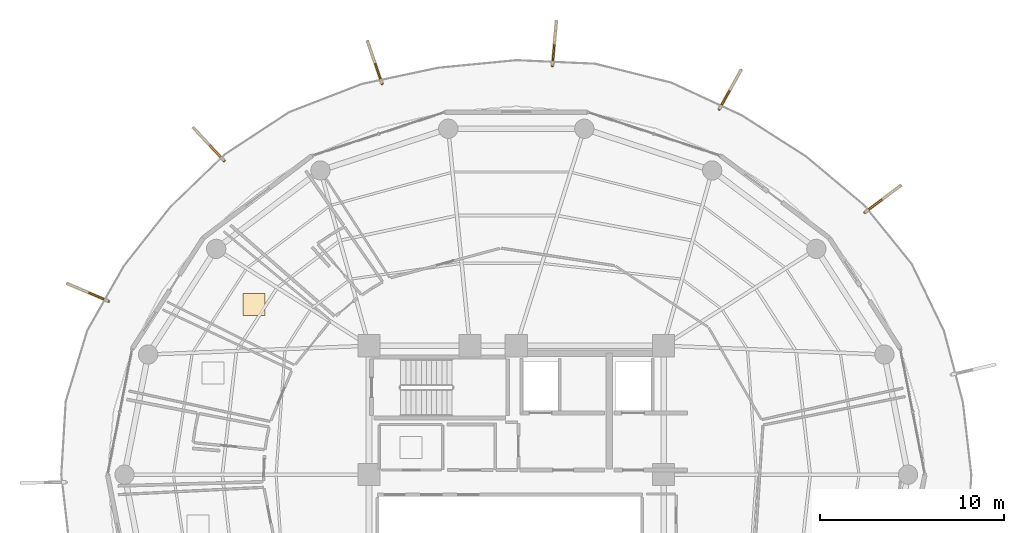
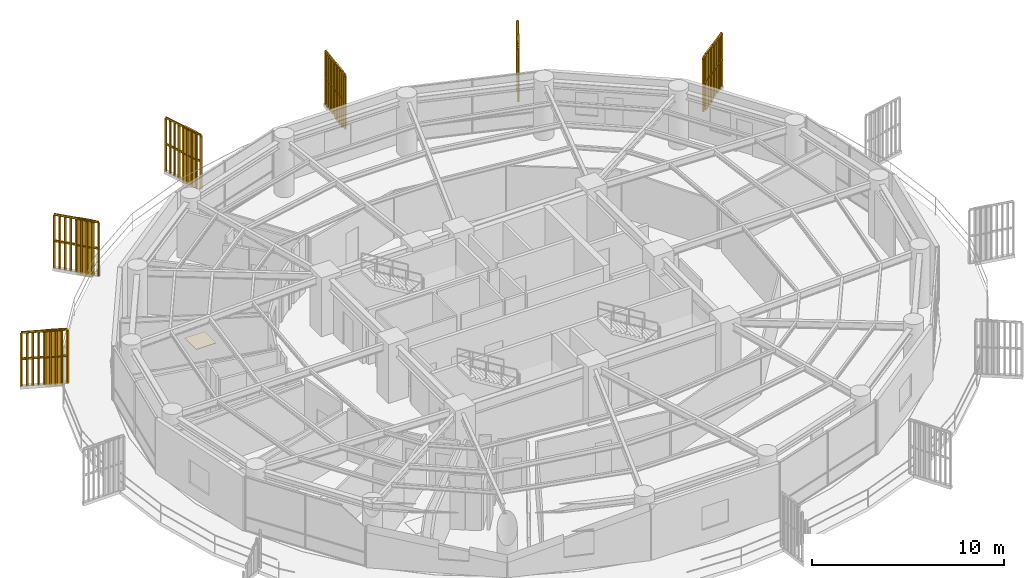
# One storey, part 31 of 31: 6 railings, 6 shading devices, 1 covering.
"""IFC4 building model written with IfcOpenShell, lengths in metres."""

from ifc_helpers import new_model, si_unit, direction, frame, origin, origin_2d, place, context, subcontext, project, spatial, polyline, rectangle, outline, extrude, source, transform, mapped, material, layer, layer_set, type_object, element, save


model = new_model("IFC4")

# Units and contexts
model_context = context("Model", 3, precision=1e-05, world=origin(), true_north=direction((0.0, 1.0)))
body_context = subcontext(model_context, "Body", "Model", "MODEL_VIEW")
ifc_project = project(units=[si_unit("LENGTHUNIT", "METRE"), si_unit("AREAUNIT", "SQUARE_METRE"), si_unit("VOLUMEUNIT", "CUBIC_METRE"), si_unit("PLANEANGLEUNIT", "RADIAN"), si_unit("MASSUNIT", "GRAM", prefix="KILO")], contexts=[model_context])

# Site, building, storey
site_placement = place(None, origin())
site = spatial("IfcSite", under=ifc_project, at=site_placement, CompositionType="ELEMENT")
building_placement = place(site_placement, origin())
building = spatial("IfcBuilding", under=site, at=building_placement, Name="Kelanora Arch Commons", CompositionType="ELEMENT")
storey_placement = place(building_placement, frame((0.0, 0.0, 200.699951171875)))
storey = spatial("IfcBuildingStorey", under=building, at=storey_placement, Name="L51", CompositionType="ELEMENT", Elevation=200.699951171875)

# Railings
ifc_material_1 = material(Name="Anodised bronze vertical shading fin rib assembly")
railing_type = type_object("IfcRailingType", Name="RAIL-FIN-BRZ", PredefinedType="BALUSTRADE", material=ifc_material_1)
railing_1_placement = place(storey_placement, frame((92.935302734375, 72.24169921875, -0.02001953125)))
element("IfcRailing", 1, at=railing_1_placement, inside=storey, type_object=railing_type, Name="Sweeping Bronze Vertical Fin Blade L51-03", PredefinedType="BALUSTRADE", context=body_context, shape_type="SweptSolid", body=[
    extrude(outline(polyline([(0.06982421875, 0.0), (0.034912109375, 0.060546875), (-0.034912109375, 0.060546875), (-0.06982421875, 0.0), (-0.034912109375, -0.060546875), (0.034912109375, -0.060546875), (0.06982421875, 0.0)])), frame((0.0, 0.0, 3.419921875), z_axis=(0.799154817787, 0.601125259166, 0.0), x_axis=(-0.601125259166, 0.799154817787, 0.0)), (0.0, 0.0, 1.0), 2.4287109375),
    extrude(outline(polyline([(0.06982421875, 0.0), (0.034912109375, 0.060546875), (-0.034912109375, 0.060546875), (-0.06982421875, 0.0), (-0.034912109375, -0.060546875), (0.034912109375, -0.060546875), (0.06982421875, 0.0)])), frame((0.0, 0.0, 1.7451171875), z_axis=(0.799154817787, 0.601125259166, 0.0), x_axis=(-0.601125259166, 0.799154817787, 0.0)), (0.0, 0.0, 1.0), 2.4287109375),
    extrude(outline(polyline([(0.080078125, 0.0), (0.0400390625, 0.0693359375), (-0.0400390625, 0.0693359375), (-0.080078125, 0.0), (-0.0400390625, -0.0693359375), (0.0400390625, -0.0693359375), (0.080078125, 0.0)])), origin(), (0.0, 0.0, 1.0), 3.35009765625),
    extrude(outline(polyline([(0.080078125, 0.0), (0.0400390625, 0.0693359375), (-0.0400390625, 0.0693359375), (-0.080078125, 0.0), (-0.0400390625, -0.0693359375), (0.0400390625, -0.0693359375), (0.080078125, 0.0)])), frame((0.24267578125, 0.1826171875, 0.0)), (0.0, 0.0, 1.0), 3.35009765625),
    extrude(outline(polyline([(0.080078125, 0.0), (0.0400390625, 0.0693359375), (-0.0400390625, 0.0693359375), (-0.080078125, 0.0), (-0.0400390625, -0.0693359375), (0.0400390625, -0.0693359375), (0.080078125, 0.0)])), frame((0.4853515625, 0.364990234375, 0.0)), (0.0, 0.0, 1.0), 3.35009765625),
    extrude(outline(polyline([(0.080078125, 0.0), (0.0400390625, 0.0693359375), (-0.0400390625, 0.0693359375), (-0.080078125, 0.0), (-0.0400390625, -0.0693359375), (0.0400390625, -0.0693359375), (0.080078125, 0.0)])), frame((0.727783203125, 0.54736328125, 0.0)), (0.0, 0.0, 1.0), 3.35009765625),
    extrude(outline(polyline([(0.080078125, 0.0), (0.0400390625, 0.0693359375), (-0.0400390625, 0.0693359375), (-0.080078125, 0.0), (-0.0400390625, -0.0693359375), (0.0400390625, -0.0693359375), (0.080078125, 0.0)])), frame((0.970458984375, 0.72998046875, 0.0)), (0.0, 0.0, 1.0), 3.35009765625),
    extrude(outline(polyline([(0.080078125, 0.0), (0.0400390625, 0.0693359375), (-0.0400390625, 0.0693359375), (-0.080078125, 0.0), (-0.0400390625, -0.0693359375), (0.0400390625, -0.0693359375), (0.080078125, 0.0)])), frame((1.213134765625, 0.91259765625, 0.0)), (0.0, 0.0, 1.0), 3.35009765625),
    extrude(outline(polyline([(0.080078125, 0.0), (0.0400390625, 0.0693359375), (-0.0400390625, 0.0693359375), (-0.080078125, 0.0), (-0.0400390625, -0.0693359375), (0.0400390625, -0.0693359375), (0.080078125, 0.0)])), frame((1.45556640625, 1.094970703125, 0.0)), (0.0, 0.0, 1.0), 3.35009765625),
    extrude(outline(polyline([(0.080078125, 0.0), (0.0400390625, 0.0693359375), (-0.0400390625, 0.0693359375), (-0.080078125, 0.0), (-0.0400390625, -0.0693359375), (0.0400390625, -0.0693359375), (0.080078125, 0.0)])), frame((1.6982421875, 1.27734375, 0.0)), (0.0, 0.0, 1.0), 3.35009765625),
    extrude(outline(polyline([(0.080078125, 0.0), (0.0400390625, 0.0693359375), (-0.0400390625, 0.0693359375), (-0.080078125, 0.0), (-0.0400390625, -0.0693359375), (0.0400390625, -0.0693359375), (0.080078125, 0.0)])), frame((1.94091796875, 1.4599609375, 0.0)), (0.0, 0.0, 1.0), 3.35009765625),
])
railing_2_placement = place(storey_placement, frame((85.023681640625, 77.844482421875, -0.02001953125)))
element("IfcRailing", 2, at=railing_2_placement, inside=storey, type_object=railing_type, Name="Sweeping Bronze Vertical Fin Blade L51-04", PredefinedType="BALUSTRADE", context=body_context, shape_type="SweptSolid", body=[
    extrude(outline(polyline([(0.06982421875, 0.0), (0.034912109375, 0.060546875), (-0.034912109375, 0.060546875), (-0.06982421875, 0.0), (-0.034912109375, -0.060546875), (0.034912109375, -0.060546875), (0.06982421875, 0.0)])), frame((0.0, 0.0, 3.419921875), z_axis=(0.485549058683, 0.874209420912, 0.0), x_axis=(-0.874209420912, 0.485549058683, 0.0)), (0.0, 0.0, 1.0), 2.42919921875),
    extrude(outline(polyline([(0.06982421875, 0.0), (0.034912109375, 0.060546875), (-0.034912109375, 0.060546875), (-0.06982421875, 0.0), (-0.034912109375, -0.060546875), (0.034912109375, -0.060546875), (0.06982421875, 0.0)])), frame((0.0, 0.0, 1.7451171875), z_axis=(0.485549058683, 0.874209420912, 0.0), x_axis=(-0.874209420912, 0.485549058683, 0.0)), (0.0, 0.0, 1.0), 2.42919921875),
    extrude(outline(polyline([(0.080078125, 0.0), (0.0400390625, 0.0693359375), (-0.0400390625, 0.0693359375), (-0.080078125, 0.0), (-0.0400390625, -0.0693359375), (0.0400390625, -0.0693359375), (0.080078125, 0.0)])), origin(), (0.0, 0.0, 1.0), 3.35009765625),
    extrude(outline(polyline([(0.080078125, 0.0), (0.0400390625, 0.0693359375), (-0.0400390625, 0.0693359375), (-0.080078125, 0.0), (-0.0400390625, -0.0693359375), (0.0400390625, -0.0693359375), (0.080078125, 0.0)])), frame((0.1474609375, 0.265380859375, 0.0)), (0.0, 0.0, 1.0), 3.35009765625),
    extrude(outline(polyline([(0.080078125, 0.0), (0.0400390625, 0.0693359375), (-0.0400390625, 0.0693359375), (-0.080078125, 0.0), (-0.0400390625, -0.0693359375), (0.0400390625, -0.0693359375), (0.080078125, 0.0)])), frame((0.294921875, 0.53076171875, 0.0)), (0.0, 0.0, 1.0), 3.35009765625),
    extrude(outline(polyline([(0.080078125, 0.0), (0.0400390625, 0.0693359375), (-0.0400390625, 0.0693359375), (-0.080078125, 0.0), (-0.0400390625, -0.0693359375), (0.0400390625, -0.0693359375), (0.080078125, 0.0)])), frame((0.4423828125, 0.79638671875, 0.0)), (0.0, 0.0, 1.0), 3.35009765625),
    extrude(outline(polyline([(0.080078125, 0.0), (0.0400390625, 0.0693359375), (-0.0400390625, 0.0693359375), (-0.080078125, 0.0), (-0.0400390625, -0.0693359375), (0.0400390625, -0.0693359375), (0.080078125, 0.0)])), frame((0.58984375, 1.061767578125, 0.0)), (0.0, 0.0, 1.0), 3.35009765625),
    extrude(outline(polyline([(0.080078125, 0.0), (0.0400390625, 0.0693359375), (-0.0400390625, 0.0693359375), (-0.080078125, 0.0), (-0.0400390625, -0.0693359375), (0.0400390625, -0.0693359375), (0.080078125, 0.0)])), frame((0.737060546875, 1.3271484375, 0.0)), (0.0, 0.0, 1.0), 3.35009765625),
    extrude(outline(polyline([(0.080078125, 0.0), (0.0400390625, 0.0693359375), (-0.0400390625, 0.0693359375), (-0.080078125, 0.0), (-0.0400390625, -0.0693359375), (0.0400390625, -0.0693359375), (0.080078125, 0.0)])), frame((0.884521484375, 1.5927734375, 0.0)), (0.0, 0.0, 1.0), 3.35009765625),
    extrude(outline(polyline([(0.080078125, 0.0), (0.0400390625, 0.0693359375), (-0.0400390625, 0.0693359375), (-0.080078125, 0.0), (-0.0400390625, -0.0693359375), (0.0400390625, -0.0693359375), (0.080078125, 0.0)])), frame((1.031982421875, 1.858154296875, 0.0)), (0.0, 0.0, 1.0), 3.35009765625),
    extrude(outline(polyline([(0.080078125, 0.0), (0.0400390625, 0.0693359375), (-0.0400390625, 0.0693359375), (-0.080078125, 0.0), (-0.0400390625, -0.0693359375), (0.0400390625, -0.0693359375), (0.080078125, 0.0)])), frame((1.179443359375, 2.12353515625, 0.0)), (0.0, 0.0, 1.0), 3.35009765625),
])
railing_3_placement = place(storey_placement, frame((75.963134765625, 80.20751953125, -0.02001953125)))
element("IfcRailing", 3, at=railing_3_placement, inside=storey, type_object=railing_type, Name="Sweeping Bronze Vertical Fin Blade L51-05", PredefinedType="BALUSTRADE", context=body_context, shape_type="SweptSolid", body=[
    extrude(outline(polyline([(0.06982421875, 0.0), (0.034912109375, 0.060546875), (-0.034912109375, 0.060546875), (-0.06982421875, 0.0), (-0.034912109375, -0.060546875), (0.034912109375, -0.060546875), (0.06982421875, 0.0)])), frame((0.0, 0.0, 3.419921875), z_axis=(0.088052219316, 0.996115860065, 0.0), x_axis=(-0.996115860065, 0.088052219316, 0.0)), (0.0, 0.0, 1.0), 2.428955078125),
    extrude(outline(polyline([(0.06982421875, 0.0), (0.034912109375, 0.060546875), (-0.034912109375, 0.060546875), (-0.06982421875, 0.0), (-0.034912109375, -0.060546875), (0.034912109375, -0.060546875), (0.06982421875, 0.0)])), frame((0.0, 0.0, 1.7451171875), z_axis=(0.088052219316, 0.996115860065, 0.0), x_axis=(-0.996115860065, 0.088052219316, 0.0)), (0.0, 0.0, 1.0), 2.428955078125),
    extrude(outline(polyline([(0.080078125, 0.0), (0.0400390625, 0.0693359375), (-0.0400390625, 0.0693359375), (-0.080078125, 0.0), (-0.0400390625, -0.0693359375), (0.0400390625, -0.0693359375), (0.080078125, 0.0)])), origin(), (0.0, 0.0, 1.0), 3.35009765625),
    extrude(outline(polyline([(0.080078125, 0.0), (0.0400390625, 0.0693359375), (-0.0400390625, 0.0693359375), (-0.080078125, 0.0), (-0.0400390625, -0.0693359375), (0.0400390625, -0.0693359375), (0.080078125, 0.0)])), frame((0.02685546875, 0.302490234375, 0.0)), (0.0, 0.0, 1.0), 3.35009765625),
    extrude(outline(polyline([(0.080078125, 0.0), (0.0400390625, 0.0693359375), (-0.0400390625, 0.0693359375), (-0.080078125, 0.0), (-0.0400390625, -0.0693359375), (0.0400390625, -0.0693359375), (0.080078125, 0.0)])), frame((0.053466796875, 0.60498046875, 0.0)), (0.0, 0.0, 1.0), 3.35009765625),
    extrude(outline(polyline([(0.080078125, 0.0), (0.0400390625, 0.0693359375), (-0.0400390625, 0.0693359375), (-0.080078125, 0.0), (-0.0400390625, -0.0693359375), (0.0400390625, -0.0693359375), (0.080078125, 0.0)])), frame((0.080078125, 0.9072265625, 0.0)), (0.0, 0.0, 1.0), 3.35009765625),
    extrude(outline(polyline([(0.080078125, 0.0), (0.0400390625, 0.0693359375), (-0.0400390625, 0.0693359375), (-0.080078125, 0.0), (-0.0400390625, -0.0693359375), (0.0400390625, -0.0693359375), (0.080078125, 0.0)])), frame((0.10693359375, 1.209716796875, 0.0)), (0.0, 0.0, 1.0), 3.35009765625),
    extrude(outline(polyline([(0.080078125, 0.0), (0.0400390625, 0.0693359375), (-0.0400390625, 0.0693359375), (-0.080078125, 0.0), (-0.0400390625, -0.0693359375), (0.0400390625, -0.0693359375), (0.080078125, 0.0)])), frame((0.1337890625, 1.51220703125, 0.0)), (0.0, 0.0, 1.0), 3.35009765625),
    extrude(outline(polyline([(0.080078125, 0.0), (0.0400390625, 0.0693359375), (-0.0400390625, 0.0693359375), (-0.080078125, 0.0), (-0.0400390625, -0.0693359375), (0.0400390625, -0.0693359375), (0.080078125, 0.0)])), frame((0.160400390625, 1.814453125, 0.0)), (0.0, 0.0, 1.0), 3.35009765625),
    extrude(outline(polyline([(0.080078125, 0.0), (0.0400390625, 0.0693359375), (-0.0400390625, 0.0693359375), (-0.080078125, 0.0), (-0.0400390625, -0.0693359375), (0.0400390625, -0.0693359375), (0.080078125, 0.0)])), frame((0.18701171875, 2.116943359375, 0.0)), (0.0, 0.0, 1.0), 3.35009765625),
    extrude(outline(polyline([(0.080078125, 0.0), (0.0400390625, 0.0693359375), (-0.0400390625, 0.0693359375), (-0.080078125, 0.0), (-0.0400390625, -0.0693359375), (0.0400390625, -0.0693359375), (0.080078125, 0.0)])), frame((0.2138671875, 2.41943359375, 0.0)), (0.0, 0.0, 1.0), 3.35009765625),
])
railing_4_placement = place(storey_placement, frame((66.710205078125, 79.23388671875, -0.02001953125)))
element("IfcRailing", 4, at=railing_4_placement, inside=storey, type_object=railing_type, Name="Sweeping Bronze Vertical Fin Blade L51-06", PredefinedType="BALUSTRADE", context=body_context, shape_type="SweptSolid", body=[
    extrude(outline(polyline([(0.06982421875, 0.0), (0.034912109375, 0.060546875), (-0.034912109375, 0.060546875), (-0.06982421875, 0.0), (-0.034912109375, -0.060546875), (0.034912109375, -0.060546875), (0.06982421875, 0.0)])), frame((0.0, 0.0, 3.419921875), z_axis=(-0.324779158673, 0.945789880519, 0.0), x_axis=(-0.945789880519, -0.324779158673, 0.0)), (0.0, 0.0, 1.0), 2.4287109375),
    extrude(outline(polyline([(0.06982421875, 0.0), (0.034912109375, 0.060546875), (-0.034912109375, 0.060546875), (-0.06982421875, 0.0), (-0.034912109375, -0.060546875), (0.034912109375, -0.060546875), (0.06982421875, 0.0)])), frame((0.0, 0.0, 1.7451171875), z_axis=(-0.324779158673, 0.945789880519, 0.0), x_axis=(-0.945789880519, -0.324779158673, 0.0)), (0.0, 0.0, 1.0), 2.4287109375),
    extrude(outline(polyline([(0.080078125, 0.0), (0.0400390625, 0.0693359375), (-0.0400390625, 0.0693359375), (-0.080078125, 0.0), (-0.0400390625, -0.0693359375), (0.0400390625, -0.0693359375), (0.080078125, 0.0)])), origin(), (0.0, 0.0, 1.0), 3.35009765625),
    extrude(outline(polyline([(0.080078125, 0.0), (0.0400390625, 0.0693359375), (-0.0400390625, 0.0693359375), (-0.080078125, 0.0), (-0.0400390625, -0.0693359375), (0.0400390625, -0.0693359375), (0.080078125, 0.0)])), frame((-0.0986328125, 0.287109375, 0.0)), (0.0, 0.0, 1.0), 3.35009765625),
    extrude(outline(polyline([(0.080078125, 0.0), (0.0400390625, 0.0693359375), (-0.0400390625, 0.0693359375), (-0.080078125, 0.0), (-0.0400390625, -0.0693359375), (0.0400390625, -0.0693359375), (0.080078125, 0.0)])), frame((-0.197265625, 0.57421875, 0.0)), (0.0, 0.0, 1.0), 3.35009765625),
    extrude(outline(polyline([(0.080078125, 0.0), (0.0400390625, 0.0693359375), (-0.0400390625, 0.0693359375), (-0.080078125, 0.0), (-0.0400390625, -0.0693359375), (0.0400390625, -0.0693359375), (0.080078125, 0.0)])), frame((-0.2958984375, 0.861328125, 0.0)), (0.0, 0.0, 1.0), 3.35009765625),
    extrude(outline(polyline([(0.080078125, 0.0), (0.0400390625, 0.0693359375), (-0.0400390625, 0.0693359375), (-0.080078125, 0.0), (-0.0400390625, -0.0693359375), (0.0400390625, -0.0693359375), (0.080078125, 0.0)])), frame((-0.39453125, 1.1484375, 0.0)), (0.0, 0.0, 1.0), 3.35009765625),
    extrude(outline(polyline([(0.080078125, 0.0), (0.0400390625, 0.0693359375), (-0.0400390625, 0.0693359375), (-0.080078125, 0.0), (-0.0400390625, -0.0693359375), (0.0400390625, -0.0693359375), (0.080078125, 0.0)])), frame((-0.492919921875, 1.435791015625, 0.0)), (0.0, 0.0, 1.0), 3.35009765625),
    extrude(outline(polyline([(0.080078125, 0.0), (0.0400390625, 0.0693359375), (-0.0400390625, 0.0693359375), (-0.080078125, 0.0), (-0.0400390625, -0.0693359375), (0.0400390625, -0.0693359375), (0.080078125, 0.0)])), frame((-0.591552734375, 1.722900390625, 0.0)), (0.0, 0.0, 1.0), 3.35009765625),
    extrude(outline(polyline([(0.080078125, 0.0), (0.0400390625, 0.0693359375), (-0.0400390625, 0.0693359375), (-0.080078125, 0.0), (-0.0400390625, -0.0693359375), (0.0400390625, -0.0693359375), (0.080078125, 0.0)])), frame((-0.690185546875, 2.010009765625, 0.0)), (0.0, 0.0, 1.0), 3.35009765625),
    extrude(outline(polyline([(0.080078125, 0.0), (0.0400390625, 0.0693359375), (-0.0400390625, 0.0693359375), (-0.080078125, 0.0), (-0.0400390625, -0.0693359375), (0.0400390625, -0.0693359375), (0.080078125, 0.0)])), frame((-0.788818359375, 2.297119140625, 0.0)), (0.0, 0.0, 1.0), 3.35009765625),
])
railing_5_placement = place(storey_placement, frame((58.127685546875, 75.052001953125, -0.02001953125)))
element("IfcRailing", 5, at=railing_5_placement, inside=storey, type_object=railing_type, Name="Sweeping Bronze Vertical Fin Blade L51-07", PredefinedType="BALUSTRADE", context=body_context, shape_type="SweptSolid", body=[
    extrude(outline(polyline([(0.06982421875, 0.0), (0.034912109375, 0.060546875), (-0.034912109375, 0.060546875), (-0.06982421875, 0.0), (-0.034912109375, -0.060546875), (0.034912109375, -0.060546875), (0.06982421875, 0.0)])), frame((0.0, 0.0, 3.419921875), z_axis=(-0.681375824852, 0.731933730133, 0.0), x_axis=(-0.731933730133, -0.681375824852, 0.0)), (0.0, 0.0, 1.0), 2.428955078125),
    extrude(outline(polyline([(0.06982421875, 0.0), (0.034912109375, 0.060546875), (-0.034912109375, 0.060546875), (-0.06982421875, 0.0), (-0.034912109375, -0.060546875), (0.034912109375, -0.060546875), (0.06982421875, 0.0)])), frame((0.0, 0.0, 1.7451171875), z_axis=(-0.681375824852, 0.731933730133, 0.0), x_axis=(-0.731933730133, -0.681375824852, 0.0)), (0.0, 0.0, 1.0), 2.428955078125),
    extrude(outline(polyline([(0.080078125, 0.0), (0.0400390625, 0.0693359375), (-0.0400390625, 0.0693359375), (-0.080078125, 0.0), (-0.0400390625, -0.0693359375), (0.0400390625, -0.0693359375), (0.080078125, 0.0)])), origin(), (0.0, 0.0, 1.0), 3.35009765625),
    extrude(outline(polyline([(0.080078125, 0.0), (0.0400390625, 0.0693359375), (-0.0400390625, 0.0693359375), (-0.080078125, 0.0), (-0.0400390625, -0.0693359375), (0.0400390625, -0.0693359375), (0.080078125, 0.0)])), frame((-0.206787109375, 0.22216796875, 0.0)), (0.0, 0.0, 1.0), 3.35009765625),
    extrude(outline(polyline([(0.080078125, 0.0), (0.0400390625, 0.0693359375), (-0.0400390625, 0.0693359375), (-0.080078125, 0.0), (-0.0400390625, -0.0693359375), (0.0400390625, -0.0693359375), (0.080078125, 0.0)])), frame((-0.413818359375, 0.4443359375, 0.0)), (0.0, 0.0, 1.0), 3.35009765625),
    extrude(outline(polyline([(0.080078125, 0.0), (0.0400390625, 0.0693359375), (-0.0400390625, 0.0693359375), (-0.080078125, 0.0), (-0.0400390625, -0.0693359375), (0.0400390625, -0.0693359375), (0.080078125, 0.0)])), frame((-0.62060546875, 0.666748046875, 0.0)), (0.0, 0.0, 1.0), 3.35009765625),
    extrude(outline(polyline([(0.080078125, 0.0), (0.0400390625, 0.0693359375), (-0.0400390625, 0.0693359375), (-0.080078125, 0.0), (-0.0400390625, -0.0693359375), (0.0400390625, -0.0693359375), (0.080078125, 0.0)])), frame((-0.82763671875, 0.888916015625, 0.0)), (0.0, 0.0, 1.0), 3.35009765625),
    extrude(outline(polyline([(0.080078125, 0.0), (0.0400390625, 0.0693359375), (-0.0400390625, 0.0693359375), (-0.080078125, 0.0), (-0.0400390625, -0.0693359375), (0.0400390625, -0.0693359375), (0.080078125, 0.0)])), frame((-1.034423828125, 1.111083984375, 0.0)), (0.0, 0.0, 1.0), 3.35009765625),
    extrude(outline(polyline([(0.080078125, 0.0), (0.0400390625, 0.0693359375), (-0.0400390625, 0.0693359375), (-0.080078125, 0.0), (-0.0400390625, -0.0693359375), (0.0400390625, -0.0693359375), (0.080078125, 0.0)])), frame((-1.2412109375, 1.33349609375, 0.0)), (0.0, 0.0, 1.0), 3.35009765625),
    extrude(outline(polyline([(0.080078125, 0.0), (0.0400390625, 0.0693359375), (-0.0400390625, 0.0693359375), (-0.080078125, 0.0), (-0.0400390625, -0.0693359375), (0.0400390625, -0.0693359375), (0.080078125, 0.0)])), frame((-1.4482421875, 1.5556640625, 0.0)), (0.0, 0.0, 1.0), 3.35009765625),
    extrude(outline(polyline([(0.080078125, 0.0), (0.0400390625, 0.0693359375), (-0.0400390625, 0.0693359375), (-0.080078125, 0.0), (-0.0400390625, -0.0693359375), (0.0400390625, -0.0693359375), (0.080078125, 0.0)])), frame((-1.655029296875, 1.77783203125, 0.0)), (0.0, 0.0, 1.0), 3.35009765625),
])
railing_6_placement = place(storey_placement, frame((51.85302734375, 67.424560546875, -0.02001953125)))
element("IfcRailing", 6, at=railing_6_placement, inside=storey, type_object=railing_type, Name="Sweeping Bronze Vertical Fin Blade L51-08", PredefinedType="BALUSTRADE", context=body_context, shape_type="SweptSolid", body=[
    extrude(outline(polyline([(0.06982421875, 0.0), (0.034912109375, 0.060546875), (-0.034912109375, 0.060546875), (-0.06982421875, 0.0), (-0.034912109375, -0.060546875), (0.034912109375, -0.060546875), (0.06982421875, 0.0)])), frame((0.0, 0.0, 3.419921875), z_axis=(-0.920166193756, 0.391528001385, 0.0), x_axis=(-0.391528001385, -0.920166193756, 0.0)), (0.0, 0.0, 1.0), 2.4287109375),
    extrude(outline(polyline([(0.06982421875, 0.0), (0.034912109375, 0.060546875), (-0.034912109375, 0.060546875), (-0.06982421875, 0.0), (-0.034912109375, -0.060546875), (0.034912109375, -0.060546875), (0.06982421875, 0.0)])), frame((0.0, 0.0, 1.7451171875), z_axis=(-0.920166193756, 0.391528001385, 0.0), x_axis=(-0.391528001385, -0.920166193756, 0.0)), (0.0, 0.0, 1.0), 2.4287109375),
    extrude(outline(polyline([(0.080078125, 0.0), (0.0400390625, 0.0693359375), (-0.0400390625, 0.0693359375), (-0.080078125, 0.0), (-0.0400390625, -0.0693359375), (0.0400390625, -0.0693359375), (0.080078125, 0.0)])), origin(), (0.0, 0.0, 1.0), 3.35009765625),
    extrude(outline(polyline([(0.080078125, 0.0), (0.0400390625, 0.0693359375), (-0.0400390625, 0.0693359375), (-0.080078125, 0.0), (-0.0400390625, -0.0693359375), (0.0400390625, -0.0693359375), (0.080078125, 0.0)])), frame((-0.279296875, 0.118896484375, 0.0)), (0.0, 0.0, 1.0), 3.35009765625),
    extrude(outline(polyline([(0.080078125, 0.0), (0.0400390625, 0.0693359375), (-0.0400390625, 0.0693359375), (-0.080078125, 0.0), (-0.0400390625, -0.0693359375), (0.0400390625, -0.0693359375), (0.080078125, 0.0)])), frame((-0.55859375, 0.23779296875, 0.0)), (0.0, 0.0, 1.0), 3.35009765625),
    extrude(outline(polyline([(0.080078125, 0.0), (0.0400390625, 0.0693359375), (-0.0400390625, 0.0693359375), (-0.080078125, 0.0), (-0.0400390625, -0.0693359375), (0.0400390625, -0.0693359375), (0.080078125, 0.0)])), frame((-0.838134765625, 0.356689453125, 0.0)), (0.0, 0.0, 1.0), 3.35009765625),
    extrude(outline(polyline([(0.080078125, 0.0), (0.0400390625, 0.0693359375), (-0.0400390625, 0.0693359375), (-0.080078125, 0.0), (-0.0400390625, -0.0693359375), (0.0400390625, -0.0693359375), (0.080078125, 0.0)])), frame((-1.117431640625, 0.4755859375, 0.0)), (0.0, 0.0, 1.0), 3.35009765625),
    extrude(outline(polyline([(0.080078125, 0.0), (0.0400390625, 0.0693359375), (-0.0400390625, 0.0693359375), (-0.080078125, 0.0), (-0.0400390625, -0.0693359375), (0.0400390625, -0.0693359375), (0.080078125, 0.0)])), frame((-1.396728515625, 0.59423828125, 0.0)), (0.0, 0.0, 1.0), 3.35009765625),
    extrude(outline(polyline([(0.080078125, 0.0), (0.0400390625, 0.0693359375), (-0.0400390625, 0.0693359375), (-0.080078125, 0.0), (-0.0400390625, -0.0693359375), (0.0400390625, -0.0693359375), (0.080078125, 0.0)])), frame((-1.67626953125, 0.713134765625, 0.0)), (0.0, 0.0, 1.0), 3.35009765625),
    extrude(outline(polyline([(0.080078125, 0.0), (0.0400390625, 0.0693359375), (-0.0400390625, 0.0693359375), (-0.080078125, 0.0), (-0.0400390625, -0.0693359375), (0.0400390625, -0.0693359375), (0.080078125, 0.0)])), frame((-1.95556640625, 0.83203125, 0.0)), (0.0, 0.0, 1.0), 3.35009765625),
    extrude(outline(polyline([(0.080078125, 0.0), (0.0400390625, 0.0693359375), (-0.0400390625, 0.0693359375), (-0.080078125, 0.0), (-0.0400390625, -0.0693359375), (0.0400390625, -0.0693359375), (0.080078125, 0.0)])), frame((-2.23486328125, 0.950927734375, 0.0)), (0.0, 0.0, 1.0), 3.35009765625),
])

# Shading devices
ifc_material_2 = material(Name="Terracotta ceramic-clad extruded aluminium fin", Category="masonry")
shading_device_type = type_object("IfcShadingDeviceType", Name="SHD-FIN-FLARE", PredefinedType="USERDEFINED", material=ifc_material_2)
shared_shape_1 = source(origin(), body_context, "Body", "SweptSolid", [
    extrude(rectangle(XDim=0.8798828125, YDim=0.090087890625, at=origin_2d()), origin(), (0.0, 0.0, 1.0), 3.610107421875),
])
for number, where, z_axis, x_axis, name in (
    (7, (93.510498046875, 72.674560546875, -0.14013671875), (0.0, 0.0, 1.0), (0.799160388565, 0.601117853128, 0.0), "Sweeping Terracotta Fin L51-03"),
    (8, (85.373291015625, 78.47412109375, -0.14013671875), (0.0, 0.0, 1.0), (0.485572685227, 0.874196297957, 0.0), "Sweeping Terracotta Fin L51-04"),
    (9, (76.026611328125, 80.9248046875, -0.14013671875), (0.0, 0.0, 1.0), (0.088025053325, 0.996118261045, 0.0), "Sweeping Terracotta Fin L51-05"),
    (10, (66.476318359375, 79.914794921875, -0.14013671875), (0.0, 0.0, 1.0), (-0.324742909981, 0.945802327348, 0.0), "Sweeping Terracotta Fin L51-06"),
    (11, (57.636962890625, 75.5791015625, -0.14013671875), (0.0, 0.0, 1.0), (-0.681359873953, 0.731948578909, 0.0), "Sweeping Terracotta Fin L51-07"),
    (12, (51.190673828125, 67.70654296875, -0.14013671875), (0.0, 0.0, 1.0), (-0.920163525759, 0.391534271632, 0.0), "Sweeping Terracotta Fin L51-08"),
):
    element("IfcShadingDevice", number, at=place(storey_placement, frame(where, z_axis=z_axis, x_axis=x_axis)), inside=storey, type_object=shading_device_type, Name=name, ObjectType="FIN", PredefinedType="USERDEFINED", context=body_context, shape_type="MappedRepresentation", body=[
        mapped(shared_shape_1, transform((0.0, 0.0, 0.0), scale=1.0)),
    ])

# Covering
ifc_material_3 = material(Name="Polished local granite terrazzo flooring", Category="masonry")
ifc_layer = layer(ifc_material_3, 0.030029296875)
ifc_layer_set = layer_set([ifc_layer], Name="Polished local granite terrazzo flooring")
covering_type = type_object("IfcCoveringType", Name="COV-FLR-TER", PredefinedType="FLOORING", material=ifc_layer_set)
shared_shape_2 = source(origin(), body_context, "Body", "SweptSolid", [
    extrude(rectangle(XDim=1.199951171875, YDim=1.199951171875, at=origin_2d()), origin(), (0.0, 0.0, 1.0), 0.030029296875),
])
covering_placement = place(storey_placement, frame((59.748291015625, 67.23779296875, 0.0), z_axis=(0.0, 0.0, 1.0), x_axis=(1.0, 0.0, 0.0)))
element("IfcCovering", 13, at=covering_placement, inside=storey, type_object=covering_type, Name="Social Sky Lounge L51-02 Terrazzo Finish", PredefinedType="FLOORING", context=body_context, shape_type="MappedRepresentation", body=[
    mapped(shared_shape_2, transform((0.0, 0.0, 0.0), scale=1.0)),
])

save(model, "model.ifc")
